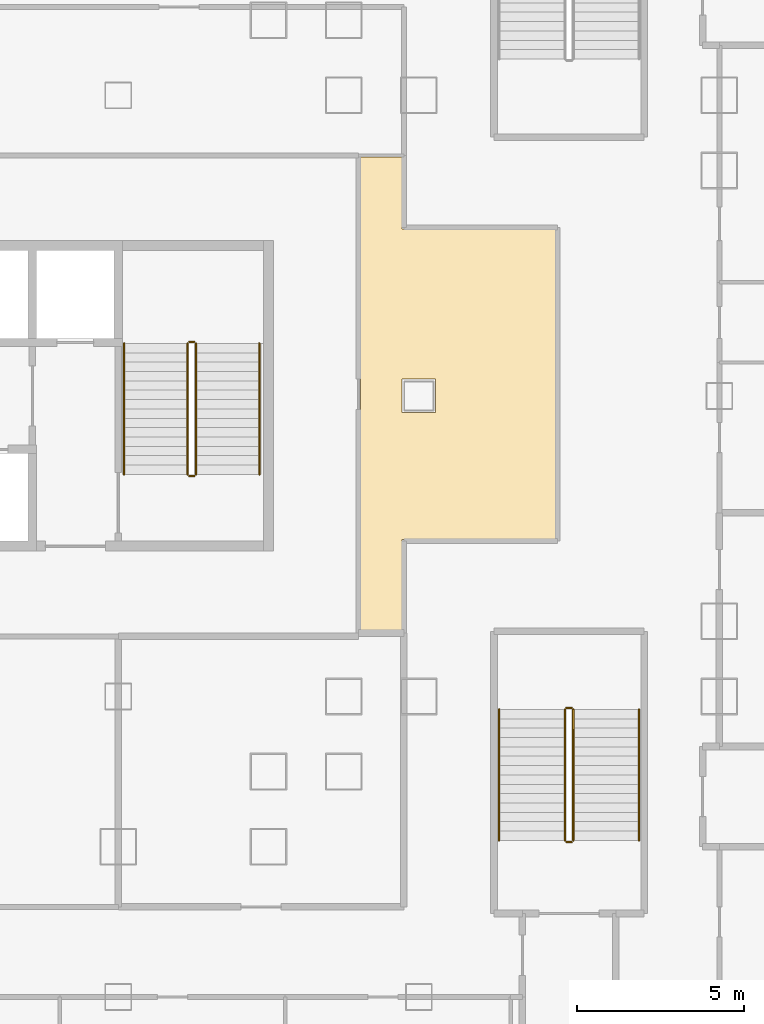
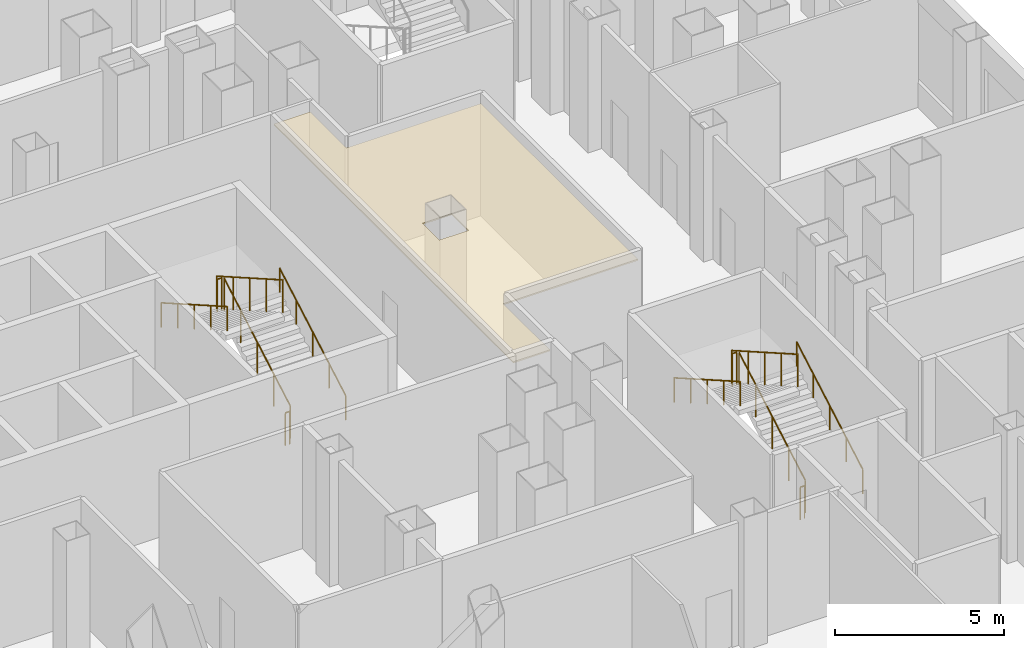
# One storey, part 20 of 23: 12 railings, 1 covering.
"""IFC4 building model written with IfcOpenShell, lengths in metres."""

from ifc_helpers import new_model, si_unit, direction, frame, origin, origin_2d, place, context, subcontext, project, spatial, polyline, circle, outline, extrude, material, layer, layer_set, type_object, element, save


model = new_model("IFC4")

# Units and contexts
model_context = context("Model", 3, precision=1e-05, world=origin(), true_north=direction((0.0, 1.0)))
body_context = subcontext(model_context, "Body", "Model", "MODEL_VIEW")
ifc_project = project(units=[si_unit("LENGTHUNIT", "METRE"), si_unit("AREAUNIT", "SQUARE_METRE"), si_unit("VOLUMEUNIT", "CUBIC_METRE"), si_unit("PLANEANGLEUNIT", "RADIAN"), si_unit("MASSUNIT", "GRAM", prefix="KILO")], contexts=[model_context])

# Site, building, storey
site_placement = place(None, origin())
site = spatial("IfcSite", under=ifc_project, at=site_placement, CompositionType="ELEMENT")
building_placement = place(site_placement, origin())
building = spatial("IfcBuilding", under=site, at=building_placement, Name="Caravel Reach Hotel and Residences", CompositionType="ELEMENT")
storey_placement = place(building_placement, frame((0.0, 0.0, 24.0)))
storey = spatial("IfcBuildingStorey", under=building, at=storey_placement, Name="L04", CompositionType="ELEMENT", Elevation=24.0)

# Covering
ifc_material_1 = material(Name="Mineral fibre ceiling tile")
ifc_layer = layer(ifc_material_1, 0.050048828125)
ifc_layer_set = layer_set([ifc_layer], Name="CL1 Suspended ceiling 50")
covering_type = type_object("IfcCoveringType", Name="CL1 Suspended ceiling 50", PredefinedType="CEILING", material=ifc_layer_set)
covering_placement = place(storey_placement, frame((0.0, 0.0, 4.0)))
element("IfcCovering", 1, at=covering_placement, inside=storey, type_object=covering_type, Name="L04 ceiling Spa relaxation hall", PredefinedType="CEILING", context=body_context, shape_type="SweptSolid", body=[
    extrude(outline(polyline([(49.0, 22.699951171875), (53.60009765625, 22.699951171875), (53.60009765625, 32.0), (49.0, 32.0), (49.0, 34.14990234375), (47.75, 34.14990234375), (47.75, 19.949951171875), (49.0, 19.949951171875), (49.0, 22.699951171875)]), holes=[polyline([(49.0, 26.5), (49.0, 27.5), (50.0, 27.5), (50.0, 26.5), (49.0, 26.5)])]), origin(), (0.0, 0.0, 1.0), 0.050048828125),
])

# Railings
ifc_material_2 = material(Name="Steel balustrade with glass infill", Category="steel")
railing_type_1 = type_object("IfcRailingType", Name="Guard 1200", PredefinedType="GUARDRAIL", material=ifc_material_2)
railing_1_placement = place(storey_placement, frame((42.824951171875, 24.64990234375, 0.159912109375)))
element("IfcRailing", 2, at=railing_1_placement, inside=storey, type_object=railing_type_1, Name="L04 ST-B stair guard 1", PredefinedType="GUARDRAIL", context=body_context, shape_type="SweptSolid", body=[
    extrude(circle(Radius=0.02392578125, at=origin_2d()), frame((0.0, 0.0, 1.17578125), z_axis=(0.0, 0.86825312469, 0.496121468458), x_axis=(-1.0, 0.0, 0.0)), (0.0, 0.0, 1.0), 4.514892578125),
    extrude(circle(Radius=0.02099609375, at=origin_2d()), origin(), (0.0, 0.0, 1.0), 1.15185546875),
    extrude(circle(Radius=0.02099609375, at=origin_2d()), frame((0.0, 0.97998046875, 0.56005859375)), (0.0, 0.0, 1.0), 1.15185546875),
    extrude(circle(Radius=0.02099609375, at=origin_2d()), frame((0.0, 1.9599609375, 1.1201171875)), (0.0, 0.0, 1.0), 1.15185546875),
    extrude(circle(Radius=0.02099609375, at=origin_2d()), frame((0.0, 2.940185546875, 1.679931640625)), (0.0, 0.0, 1.0), 1.15185546875),
    extrude(circle(Radius=0.02099609375, at=origin_2d()), frame((0.0, 3.920166015625, 2.239990234375)), (0.0, 0.0, 1.0), 1.15185546875),
])
railing_2_placement = place(storey_placement, frame((42.77490234375, 28.6201171875, 2.39990234375)))
element("IfcRailing", 3, at=railing_2_placement, inside=storey, type_object=railing_type_1, Name="L04 ST-B stair guard 2", PredefinedType="GUARDRAIL", context=body_context, shape_type="SweptSolid", body=[
    extrude(circle(Radius=0.02392578125, at=origin_2d()), frame((0.0, 0.0, 1.17578125), z_axis=(-1.0, 0.0, 0.0), x_axis=(0.0, -1.0, 0.0)), (0.0, 0.0, 1.0), 0.14990234375),
    extrude(circle(Radius=0.02099609375, at=origin_2d()), origin(), (0.0, 0.0, 1.0), 1.15185546875),
    extrude(circle(Radius=0.02099609375, at=origin_2d()), frame((-0.14990234375, 0.0, 0.0)), (0.0, 0.0, 1.0), 1.15185546875),
])
railing_3_placement = place(storey_placement, frame((42.574951171875, 28.570068359375, 2.56005859375)))
element("IfcRailing", 4, at=railing_3_placement, inside=storey, type_object=railing_type_1, Name="L04 ST-B stair guard 3", PredefinedType="GUARDRAIL", context=body_context, shape_type="SweptSolid", body=[
    extrude(circle(Radius=0.02392578125, at=origin_2d()), frame((0.0, 0.0, 1.17578125), z_axis=(0.0, -0.86825312469, 0.496121468458), x_axis=(1.0, 0.0, 0.0)), (0.0, 0.0, 1.0), 4.514892578125),
    extrude(circle(Radius=0.02099609375, at=origin_2d()), origin(), (0.0, 0.0, 1.0), 1.15185546875),
    extrude(circle(Radius=0.02099609375, at=origin_2d()), frame((0.0, -0.97998046875, 0.56005859375)), (0.0, 0.0, 1.0), 1.15185546875),
    extrude(circle(Radius=0.02099609375, at=origin_2d()), frame((0.0, -1.9599609375, 1.1201171875)), (0.0, 0.0, 1.0), 1.15185546875),
    extrude(circle(Radius=0.02099609375, at=origin_2d()), frame((0.0, -2.940185546875, 1.679931640625)), (0.0, 0.0, 1.0), 1.15185546875),
    extrude(circle(Radius=0.02099609375, at=origin_2d()), frame((0.0, -3.920166015625, 2.239990234375)), (0.0, 0.0, 1.0), 1.15185546875),
])
railing_4_placement = place(storey_placement, frame((42.77490234375, 24.60009765625, 0.0)))
element("IfcRailing", 5, at=railing_4_placement, inside=storey, type_object=railing_type_1, Name="L04 ST-B stair guard 4", PredefinedType="GUARDRAIL", context=body_context, shape_type="SweptSolid", body=[
    extrude(circle(Radius=0.02392578125, at=origin_2d()), frame((0.0, 0.0, 1.17578125), z_axis=(-1.0, 0.0, 0.0), x_axis=(0.0, -1.0, 0.0)), (0.0, 0.0, 1.0), 0.14990234375),
    extrude(circle(Radius=0.02099609375, at=origin_2d()), origin(), (0.0, 0.0, 1.0), 1.15185546875),
    extrude(circle(Radius=0.02099609375, at=origin_2d()), frame((-0.14990234375, 0.0, 0.0)), (0.0, 0.0, 1.0), 1.15185546875),
])
railing_5_placement = place(storey_placement, frame((54.125, 13.68994140625, 0.159912109375)))
element("IfcRailing", 6, at=railing_5_placement, inside=storey, type_object=railing_type_1, Name="L04 ST-P4 stair guard 1", PredefinedType="GUARDRAIL", context=body_context, shape_type="SweptSolid", body=[
    extrude(circle(Radius=0.02392578125, at=origin_2d()), frame((0.0, 0.0, 1.17578125), z_axis=(0.0, 0.86825312469, 0.496121468458), x_axis=(-1.0, 0.0, 0.0)), (0.0, 0.0, 1.0), 4.514892578125),
    extrude(circle(Radius=0.02099609375, at=origin_2d()), origin(), (0.0, 0.0, 1.0), 1.15185546875),
    extrude(circle(Radius=0.02099609375, at=origin_2d()), frame((0.0, 0.97998046875, 0.56005859375)), (0.0, 0.0, 1.0), 1.15185546875),
    extrude(circle(Radius=0.02099609375, at=origin_2d()), frame((0.0, 1.9599609375, 1.1201171875)), (0.0, 0.0, 1.0), 1.15185546875),
    extrude(circle(Radius=0.02099609375, at=origin_2d()), frame((0.0, 2.940185546875, 1.679931640625)), (0.0, 0.0, 1.0), 1.15185546875),
    extrude(circle(Radius=0.02099609375, at=origin_2d()), frame((0.0, 3.920166015625, 2.239990234375)), (0.0, 0.0, 1.0), 1.15185546875),
])
railing_6_placement = place(storey_placement, frame((54.074951171875, 17.659912109375, 2.39990234375)))
element("IfcRailing", 7, at=railing_6_placement, inside=storey, type_object=railing_type_1, Name="L04 ST-P4 stair guard 2", PredefinedType="GUARDRAIL", context=body_context, shape_type="SweptSolid", body=[
    extrude(circle(Radius=0.02392578125, at=origin_2d()), frame((0.0, 0.0, 1.17578125), z_axis=(-1.0, 0.0, 0.0), x_axis=(0.0, -1.0, 0.0)), (0.0, 0.0, 1.0), 0.14990234375),
    extrude(circle(Radius=0.02099609375, at=origin_2d()), origin(), (0.0, 0.0, 1.0), 1.15185546875),
    extrude(circle(Radius=0.02099609375, at=origin_2d()), frame((-0.14990234375, 0.0, 0.0)), (0.0, 0.0, 1.0), 1.15185546875),
])
railing_7_placement = place(storey_placement, frame((53.875, 17.610107421875, 2.56005859375)))
element("IfcRailing", 8, at=railing_7_placement, inside=storey, type_object=railing_type_1, Name="L04 ST-P4 stair guard 3", PredefinedType="GUARDRAIL", context=body_context, shape_type="SweptSolid", body=[
    extrude(circle(Radius=0.02392578125, at=origin_2d()), frame((0.0, 0.0, 1.17578125), z_axis=(0.0, -0.86825312469, 0.496121468458), x_axis=(1.0, 0.0, 0.0)), (0.0, 0.0, 1.0), 4.514892578125),
    extrude(circle(Radius=0.02099609375, at=origin_2d()), origin(), (0.0, 0.0, 1.0), 1.15185546875),
    extrude(circle(Radius=0.02099609375, at=origin_2d()), frame((0.0, -0.97998046875, 0.56005859375)), (0.0, 0.0, 1.0), 1.15185546875),
    extrude(circle(Radius=0.02099609375, at=origin_2d()), frame((0.0, -1.9599609375, 1.1201171875)), (0.0, 0.0, 1.0), 1.15185546875),
    extrude(circle(Radius=0.02099609375, at=origin_2d()), frame((0.0, -2.940185546875, 1.679931640625)), (0.0, 0.0, 1.0), 1.15185546875),
    extrude(circle(Radius=0.02099609375, at=origin_2d()), frame((0.0, -3.920166015625, 2.239990234375)), (0.0, 0.0, 1.0), 1.15185546875),
])
railing_8_placement = place(storey_placement, frame((54.074951171875, 13.639892578125, 0.0)))
element("IfcRailing", 9, at=railing_8_placement, inside=storey, type_object=railing_type_1, Name="L04 ST-P4 stair guard 4", PredefinedType="GUARDRAIL", context=body_context, shape_type="SweptSolid", body=[
    extrude(circle(Radius=0.02392578125, at=origin_2d()), frame((0.0, 0.0, 1.17578125), z_axis=(-1.0, 0.0, 0.0), x_axis=(0.0, -1.0, 0.0)), (0.0, 0.0, 1.0), 0.14990234375),
    extrude(circle(Radius=0.02099609375, at=origin_2d()), origin(), (0.0, 0.0, 1.0), 1.15185546875),
    extrude(circle(Radius=0.02099609375, at=origin_2d()), frame((-0.14990234375, 0.0, 0.0)), (0.0, 0.0, 1.0), 1.15185546875),
])
ifc_material_3 = material(Name="Stainless steel handrail", Category="steel")
railing_type_2 = type_object("IfcRailingType", Name="Handrail 900", PredefinedType="HANDRAIL", material=ifc_material_3)
railing_9_placement = place(storey_placement, frame((44.72509765625, 24.64990234375, 0.159912109375)))
element("IfcRailing", 10, at=railing_9_placement, inside=storey, type_object=railing_type_2, Name="L04 ST-B stair handrail 1", PredefinedType="HANDRAIL", context=body_context, shape_type="SweptSolid", body=[
    extrude(circle(Radius=0.02392578125, at=origin_2d()), frame((0.0, 0.0, 0.8759765625), z_axis=(0.0, 0.86825312469, 0.496121468458), x_axis=(-1.0, 0.0, 0.0)), (0.0, 0.0, 1.0), 4.514892578125),
    extrude(circle(Radius=0.02099609375, at=origin_2d()), origin(), (0.0, 0.0, 1.0), 0.851806640625),
    extrude(circle(Radius=0.02099609375, at=origin_2d()), frame((0.0, 0.97998046875, 0.56005859375)), (0.0, 0.0, 1.0), 0.851806640625),
    extrude(circle(Radius=0.02099609375, at=origin_2d()), frame((0.0, 1.9599609375, 1.1201171875)), (0.0, 0.0, 1.0), 0.851806640625),
    extrude(circle(Radius=0.02099609375, at=origin_2d()), frame((0.0, 2.940185546875, 1.679931640625)), (0.0, 0.0, 1.0), 0.851806640625),
    extrude(circle(Radius=0.02099609375, at=origin_2d()), frame((0.0, 3.920166015625, 2.239990234375)), (0.0, 0.0, 1.0), 0.851806640625),
])
railing_10_placement = place(storey_placement, frame((40.675048828125, 28.570068359375, 2.56005859375)))
element("IfcRailing", 11, at=railing_10_placement, inside=storey, type_object=railing_type_2, Name="L04 ST-B stair handrail 2", PredefinedType="HANDRAIL", context=body_context, shape_type="SweptSolid", body=[
    extrude(circle(Radius=0.02392578125, at=origin_2d()), frame((0.0, 0.0, 0.8759765625), z_axis=(0.0, -0.86825312469, 0.496121468458), x_axis=(1.0, 0.0, 0.0)), (0.0, 0.0, 1.0), 4.514892578125),
    extrude(circle(Radius=0.02099609375, at=origin_2d()), origin(), (0.0, 0.0, 1.0), 0.851806640625),
    extrude(circle(Radius=0.02099609375, at=origin_2d()), frame((0.0, -0.97998046875, 0.56005859375)), (0.0, 0.0, 1.0), 0.851806640625),
    extrude(circle(Radius=0.02099609375, at=origin_2d()), frame((0.0, -1.9599609375, 1.1201171875)), (0.0, 0.0, 1.0), 0.851806640625),
    extrude(circle(Radius=0.02099609375, at=origin_2d()), frame((0.0, -2.940185546875, 1.679931640625)), (0.0, 0.0, 1.0), 0.851806640625),
    extrude(circle(Radius=0.02099609375, at=origin_2d()), frame((0.0, -3.920166015625, 2.239990234375)), (0.0, 0.0, 1.0), 0.851806640625),
])
railing_11_placement = place(storey_placement, frame((56.094970703125, 13.68994140625, 0.159912109375)))
element("IfcRailing", 12, at=railing_11_placement, inside=storey, type_object=railing_type_2, Name="L04 ST-P4 stair handrail 1", PredefinedType="HANDRAIL", context=body_context, shape_type="SweptSolid", body=[
    extrude(circle(Radius=0.02392578125, at=origin_2d()), frame((0.0, 0.0, 0.8759765625), z_axis=(0.0, 0.86825312469, 0.496121468458), x_axis=(-1.0, 0.0, 0.0)), (0.0, 0.0, 1.0), 4.514892578125),
    extrude(circle(Radius=0.02099609375, at=origin_2d()), origin(), (0.0, 0.0, 1.0), 0.851806640625),
    extrude(circle(Radius=0.02099609375, at=origin_2d()), frame((0.0, 0.97998046875, 0.56005859375)), (0.0, 0.0, 1.0), 0.851806640625),
    extrude(circle(Radius=0.02099609375, at=origin_2d()), frame((0.0, 1.9599609375, 1.1201171875)), (0.0, 0.0, 1.0), 0.851806640625),
    extrude(circle(Radius=0.02099609375, at=origin_2d()), frame((0.0, 2.940185546875, 1.679931640625)), (0.0, 0.0, 1.0), 0.851806640625),
    extrude(circle(Radius=0.02099609375, at=origin_2d()), frame((0.0, 3.920166015625, 2.239990234375)), (0.0, 0.0, 1.0), 0.851806640625),
])
railing_12_placement = place(storey_placement, frame((51.905029296875, 17.610107421875, 2.56005859375)))
element("IfcRailing", 13, at=railing_12_placement, inside=storey, type_object=railing_type_2, Name="L04 ST-P4 stair handrail 2", PredefinedType="HANDRAIL", context=body_context, shape_type="SweptSolid", body=[
    extrude(circle(Radius=0.02392578125, at=origin_2d()), frame((0.0, 0.0, 0.8759765625), z_axis=(0.0, -0.86825312469, 0.496121468458), x_axis=(1.0, 0.0, 0.0)), (0.0, 0.0, 1.0), 4.514892578125),
    extrude(circle(Radius=0.02099609375, at=origin_2d()), origin(), (0.0, 0.0, 1.0), 0.851806640625),
    extrude(circle(Radius=0.02099609375, at=origin_2d()), frame((0.0, -0.97998046875, 0.56005859375)), (0.0, 0.0, 1.0), 0.851806640625),
    extrude(circle(Radius=0.02099609375, at=origin_2d()), frame((0.0, -1.9599609375, 1.1201171875)), (0.0, 0.0, 1.0), 0.851806640625),
    extrude(circle(Radius=0.02099609375, at=origin_2d()), frame((0.0, -2.940185546875, 1.679931640625)), (0.0, 0.0, 1.0), 0.851806640625),
    extrude(circle(Radius=0.02099609375, at=origin_2d()), frame((0.0, -3.920166015625, 2.239990234375)), (0.0, 0.0, 1.0), 0.851806640625),
])

save(model, "model.ifc")
